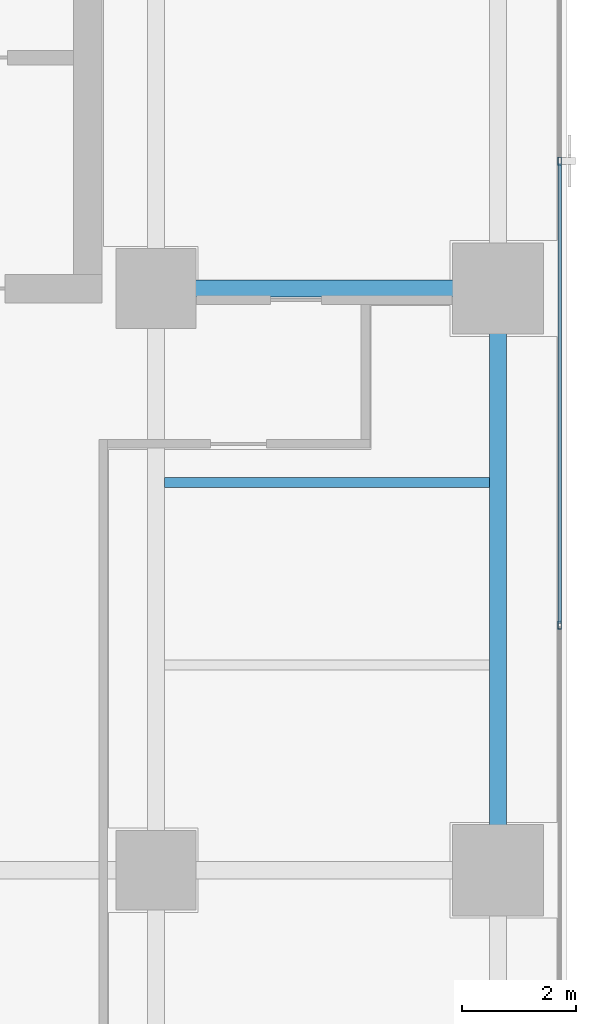
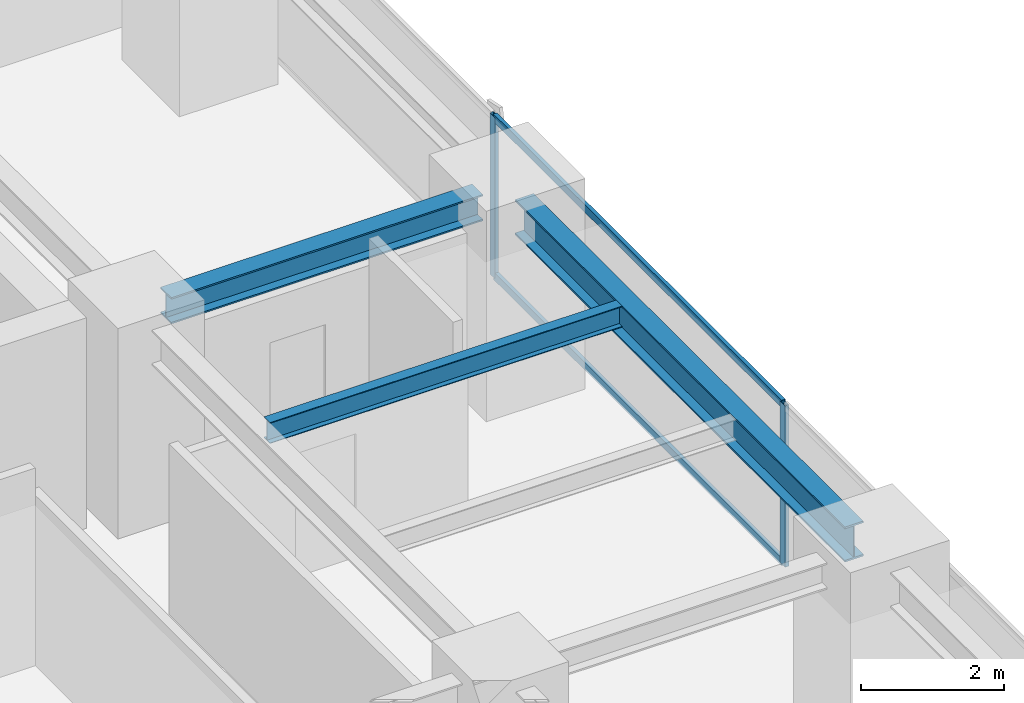
# One storey, part 17 of 29: 4 members, 3 beams, 1 element without a shape of its own.
"""IFC4 building model written with IfcOpenShell, lengths in metres."""

from ifc_helpers import new_model, si_unit, direction, frame, origin, origin_2d, place, context, subcontext, project, spatial, hollow_rectangle, i_section, extrude, source, transform, mapped, material, layer, layer_set, material_profile, profile_set, type_object, element, aggregate, save


model = new_model("IFC4")

# Units and contexts
model_context = context("Model", 3, precision=1e-05, world=origin(), true_north=direction((0.0, 1.0)))
body_context = subcontext(model_context, "Body", "Model", "MODEL_VIEW")
ifc_project = project(units=[si_unit("LENGTHUNIT", "METRE"), si_unit("AREAUNIT", "SQUARE_METRE"), si_unit("VOLUMEUNIT", "CUBIC_METRE"), si_unit("PLANEANGLEUNIT", "RADIAN"), si_unit("MASSUNIT", "GRAM", prefix="KILO")], contexts=[model_context])

# Site, building, storey
site_placement = place(None, origin())
site = spatial("IfcSite", under=ifc_project, at=site_placement, CompositionType="ELEMENT")
building_placement = place(site_placement, origin())
building = spatial("IfcBuilding", under=site, at=building_placement, Name="Sumidabori Civic Tower", CompositionType="ELEMENT")
storey_placement = place(building_placement, frame((0.0, 0.0, 214.39990234375)))
storey = spatial("IfcBuildingStorey", under=building, at=storey_placement, Name="L55", CompositionType="ELEMENT", Elevation=214.39990234375)

# Beams
ifc_material_1 = material(Name="Steel SN490", Category="steel")
ifc_material_profile_1 = material_profile(ifc_material_1, i_section(OverallWidth=0.300048828125, OverallDepth=0.60009765625, WebThickness=0.015380859375, FlangeThickness=0.030029296875, at=origin_2d()), Name="HE 600 B")
ifc_profile_set_1 = profile_set([ifc_material_profile_1], Name="Steel SN490")
beam_type_1 = type_object("IfcBeamType", Name="BM-GIRD-600", PredefinedType="BEAM", material=ifc_profile_set_1)
shared_shape_1 = source(origin(), body_context, "Body", "SweptSolid", [
    extrude(i_section(OverallWidth=0.300048828125, OverallDepth=0.60009765625, WebThickness=0.015380859375, FlangeThickness=0.030029296875, at=origin_2d()), origin(), (0.0, 0.0, 1.0), 9.239990234375),
])
beam_1_placement = place(storey_placement, frame((22.800048828125, 0.47998046875, 3.080078125), z_axis=(0.0, 1.0, 0.0), x_axis=(-1.0, 0.0, 0.0)))
element("IfcBeam", 1, at=beam_1_placement, inside=storey, type_object=beam_type_1, Name="Primary Girder L55 GY-23", PredefinedType="BEAM", context=body_context, shape_type="MappedRepresentation", body=[
    mapped(shared_shape_1, transform((0.0, 0.0, 0.0), x_axis=(1.0, 0.0, 0.0), y_axis=(0.0, 1.0, 0.0), z_axis=(0.0, 0.0, 1.0), scale=1.0)),
])
ifc_material_profile_2 = material_profile(ifc_material_1, i_section(OverallWidth=0.169921875, OverallDepth=0.360107421875, WebThickness=0.008056640625, FlangeThickness=0.0126953125, at=origin_2d()), Name="IPE 360")
ifc_profile_set_2 = profile_set([ifc_material_profile_2], Name="Steel SN490")
beam_type_2 = type_object("IfcBeamType", Name="BM-JST-360", PredefinedType="JOIST", material=ifc_profile_set_2)
shared_shape_2 = source(origin(), body_context, "Body", "SweptSolid", [
    extrude(i_section(OverallWidth=0.169921875, OverallDepth=0.360107421875, WebThickness=0.008056640625, FlangeThickness=0.0126953125, at=origin_2d()), origin(), (0.0, 0.0, 1.0), 5.699951171875),
])
beam_2_placement = place(storey_placement, frame((16.949951171875, 6.800048828125, 3.2001953125), z_axis=(1.0, 0.0, 0.0), x_axis=(0.0, 1.0, 0.0)))
element("IfcBeam", 2, at=beam_2_placement, inside=storey, type_object=beam_type_2, Name="Outer Bay Floor Joist L55 JSTO-32", PredefinedType="JOIST", context=body_context, shape_type="MappedRepresentation", body=[
    mapped(shared_shape_2, transform((0.0, 0.0, 0.0), x_axis=(1.0, 0.0, 0.0), y_axis=(0.0, 1.0, 0.0), z_axis=(0.0, 0.0, 1.0), scale=1.0)),
])
ifc_material_profile_3 = material_profile(ifc_material_1, i_section(OverallWidth=0.300048828125, OverallDepth=0.449951171875, WebThickness=0.013916015625, FlangeThickness=0.02587890625, at=origin_2d()), Name="HE 450 B")
ifc_profile_set_3 = profile_set([ifc_material_profile_3], Name="Steel SN490")
beam_type_3 = type_object("IfcBeamType", Name="BM-GIRD-450", PredefinedType="BEAM", material=ifc_profile_set_3)
shared_shape_3 = source(origin(), body_context, "Body", "SweptSolid", [
    extrude(i_section(OverallWidth=0.300048828125, OverallDepth=0.449951171875, WebThickness=0.013916015625, FlangeThickness=0.02587890625, at=origin_2d()), origin(), (0.0, 0.0, 1.0), 5.0400390625),
])
beam_3_placement = place(storey_placement, frame((17.280029296875, 10.199951171875, 3.155029296875), z_axis=(1.0, 0.0, 0.0), x_axis=(0.0, 1.0, 0.0)))
element("IfcBeam", 3, at=beam_3_placement, inside=storey, type_object=beam_type_3, Name="Primary Girder L55 GX-10", PredefinedType="BEAM", context=body_context, shape_type="MappedRepresentation", body=[
    mapped(shared_shape_3, transform((0.0, 0.0, 0.0), x_axis=(1.0, 0.0, 0.0), y_axis=(0.0, 1.0, 0.0), z_axis=(0.0, 0.0, 1.0), scale=1.0)),
])

# Curtain wall, members
ifc_material_2 = material(Name="Anodised Bronze Aluminium AW-6063-T6", Category="aluminium")
ifc_layer = layer(ifc_material_2, 0.179931640625, Name="Anodised Bronze Aluminium AW-6063-T6")
ifc_layer_set = layer_set([ifc_layer], Name="Anodised Bronze Aluminium AW-6063-T6")
curtain_wall_type = type_object("IfcCurtainWallType", Name="CW-SYS-5", PredefinedType="NOTDEFINED", material=ifc_layer_set)
curtain_wall_placement = place(storey_placement, origin())
curtain_wall = element("IfcCurtainWall", 4, at=curtain_wall_placement, inside=storey, type_object=curtain_wall_type, Name="Curtain Wall CW:L55:R10", PredefinedType="NOTDEFINED")
ifc_material_profile_4 = material_profile(ifc_material_2, hollow_rectangle(XDim=0.06005859375, YDim=0.139892578125, WallThickness=0.0048828125, at=origin_2d()), Name="ALU MULLION 140x60")
ifc_profile_set_4 = profile_set([ifc_material_profile_4], Name="Anodised Bronze Aluminium AW-6063-T6")
member_type_1 = type_object("IfcMemberType", Name="CW-MUL-140", PredefinedType="MULLION", material=ifc_profile_set_4)
shared_shape_4 = source(origin(), body_context, "Body", "SweptSolid", [
    extrude(hollow_rectangle(XDim=0.06005859375, YDim=0.139892578125, WallThickness=0.0048828125, at=origin_2d()), origin(), (0.0, 0.0, 1.0), 2.760009765625),
])
member_1_placement = place(storey_placement, frame((23.8798828125, 4.300048828125, 0.0), z_axis=(0.0, 0.0, 1.0), x_axis=(-1.0, 0.0, 0.0)))
member_1 = element("IfcMember", 5, at=member_1_placement, type_object=member_type_1, Name="CW-5 mullion 3", PredefinedType="MULLION", context=body_context, shape_type="MappedRepresentation", body=[
    mapped(shared_shape_4, transform((0.0, 0.0, 0.0), x_axis=(1.0, 0.0, 0.0), y_axis=(0.0, 1.0, 0.0), z_axis=(0.0, 0.0, 1.0), scale=1.0)),
])
member_2_placement = place(storey_placement, frame((23.8798828125, 12.43505859375, 0.0), z_axis=(0.0, 0.0, 1.0), x_axis=(-1.0, 0.0, 0.0)))
member_2 = element("IfcMember", 6, at=member_2_placement, type_object=member_type_1, Name="CW-5 mullion 4", PredefinedType="MULLION", context=body_context, shape_type="MappedRepresentation", body=[
    mapped(shared_shape_4, transform((0.0, 0.0, 0.0), x_axis=(1.0, 0.0, 0.0), y_axis=(0.0, 1.0, 0.0), z_axis=(0.0, 0.0, 1.0), scale=1.0)),
])
ifc_material_profile_5 = material_profile(ifc_material_2, hollow_rectangle(XDim=0.06005859375, YDim=0.1298828125, WallThickness=0.0048828125, at=origin_2d()), Name="ALU TRANSOM 130x60")
ifc_profile_set_5 = profile_set([ifc_material_profile_5], Name="Anodised Bronze Aluminium AW-6063-T6")
member_type_2 = type_object("IfcMemberType", Name="CW-TRN-130", PredefinedType="USERDEFINED", material=ifc_profile_set_5)
shared_shape_5 = source(origin(), body_context, "Body", "SweptSolid", [
    extrude(hollow_rectangle(XDim=0.06005859375, YDim=0.1298828125, WallThickness=0.0048828125, at=origin_2d()), origin(), (0.0, 0.0, 1.0), 8.074951171875),
])
member_3_placement = place(storey_placement, frame((23.8798828125, 4.330078125, 0.030029296875), z_axis=(0.0, 1.0, 0.0), x_axis=(-1.0, 0.0, 0.0)))
member_3 = element("IfcMember", 7, at=member_3_placement, type_object=member_type_2, Name="CW-5 transom 3.1", ObjectType="TRANSOM", PredefinedType="USERDEFINED", context=body_context, shape_type="MappedRepresentation", body=[
    mapped(shared_shape_5, transform((0.0, 0.0, 0.0), x_axis=(1.0, 0.0, 0.0), y_axis=(0.0, 1.0, 0.0), z_axis=(0.0, 0.0, 1.0), scale=1.0)),
])
member_4_placement = place(storey_placement, frame((23.8798828125, 4.330078125, 2.72998046875), z_axis=(0.0, 1.0, 0.0), x_axis=(-1.0, 0.0, 0.0)))
member_4 = element("IfcMember", 8, at=member_4_placement, type_object=member_type_2, Name="CW-5 transom 3.2", ObjectType="TRANSOM", PredefinedType="USERDEFINED", context=body_context, shape_type="MappedRepresentation", body=[
    mapped(shared_shape_5, transform((0.0, 0.0, 0.0), x_axis=(1.0, 0.0, 0.0), y_axis=(0.0, 1.0, 0.0), z_axis=(0.0, 0.0, 1.0), scale=1.0)),
])
aggregate(curtain_wall, [member_1, member_2, member_3, member_4])

save(model, "model.ifc")
